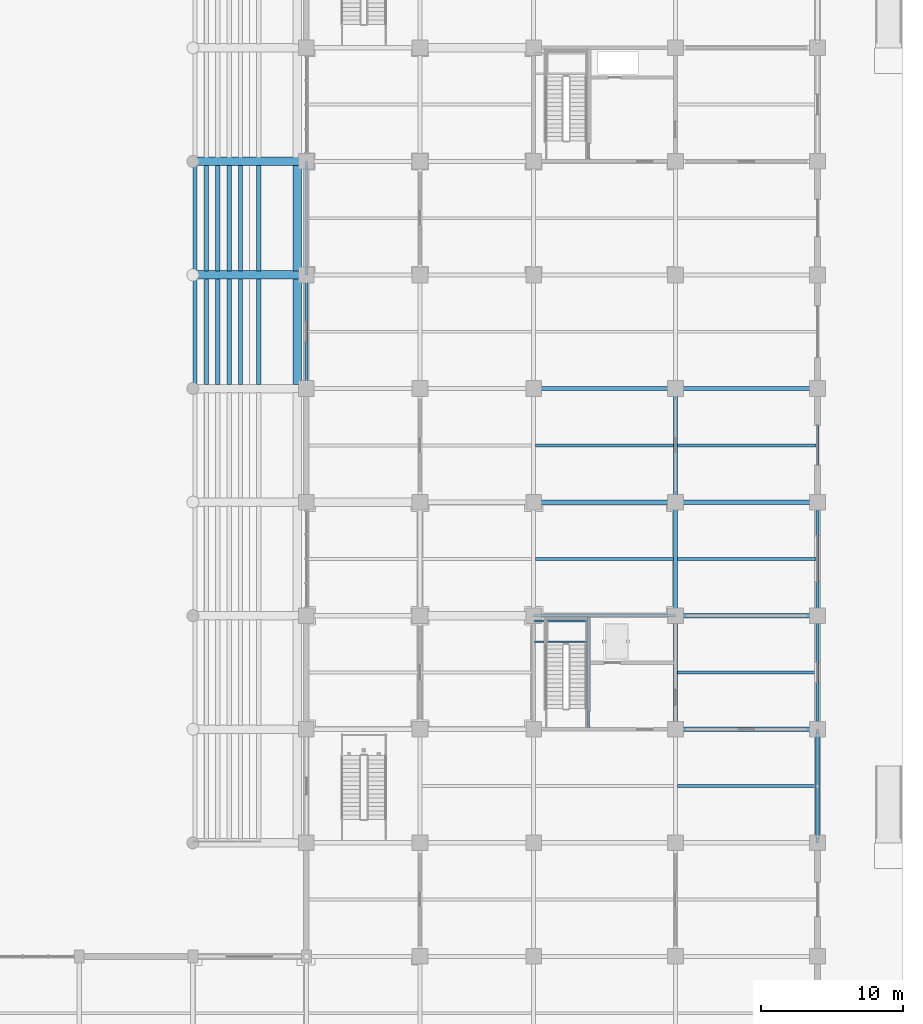
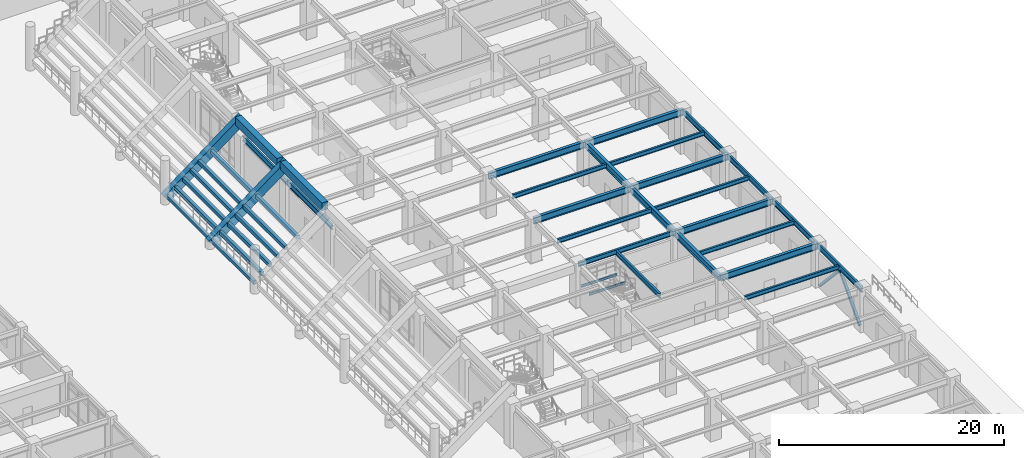
# One storey, part 40 of 125: 41 beams, 2 members.
"""IFC4 building model written with IfcOpenShell, lengths in metres."""

from ifc_helpers import new_model, si_unit, direction, frame, origin, origin_2d, place, context, subcontext, project, spatial, rectangle, hollow_rectangle, i_section, extrude, material, material_profile, profile_set, type_object, element, save


model = new_model("IFC4")

# Units and contexts
model_context = context("Model", 3, precision=1e-05, world=origin(), true_north=direction((0.0, 1.0)))
body_context = subcontext(model_context, "Body", "Model", "MODEL_VIEW")
ifc_project = project(units=[si_unit("LENGTHUNIT", "METRE"), si_unit("AREAUNIT", "SQUARE_METRE"), si_unit("VOLUMEUNIT", "CUBIC_METRE"), si_unit("PLANEANGLEUNIT", "RADIAN"), si_unit("MASSUNIT", "GRAM", prefix="KILO")], contexts=[model_context])

# Site, building, storey
site_placement = place(None, origin())
site = spatial("IfcSite", under=ifc_project, at=site_placement, CompositionType="ELEMENT")
building_placement = place(site_placement, origin())
building = spatial("IfcBuilding", under=site, at=building_placement, Name="Haebicheon Civic Stadium", CompositionType="ELEMENT")
storey_placement = place(building_placement, origin())
storey = spatial("IfcBuildingStorey", under=building, at=storey_placement, Name="L01", CompositionType="ELEMENT", Elevation=0.0)

# Beams
ifc_material_1 = material(Name="Precast concrete C40/50", Category="concrete")
ifc_material_profile_1 = material_profile(ifc_material_1, rectangle(XDim=0.300048828125, YDim=0.39990234375, at=origin_2d()), Name="PC-LN-300x400")
ifc_profile_set_1 = profile_set([ifc_material_profile_1], Name="Precast concrete C40/50")
beam_type_1 = type_object("IfcBeamType", Name="BM-LN-300x400", PredefinedType="LINTEL", material=ifc_profile_set_1)
for number, where, z_axis, x_axis, name in (
    (1, (192.159912109375, 88.280029296875, 0.760009765625), (0.0, 1.0, 0.0), (-1.0, 0.0, 0.0), "TIER-C-L precast step carrier beam 5.1"),
    (2, (192.9599609375, 88.280029296875, 1.427001953125), (0.0, 1.0, 0.0), (-1.0, 0.0, 0.0), "TIER-C-L precast step carrier beam 5.2"),
    (3, (193.760009765625, 88.280029296875, 2.093017578125), (0.0, 1.0, 0.0), (-1.0, 0.0, 0.0), "TIER-C-L precast step carrier beam 5.3"),
    (4, (194.56005859375, 88.280029296875, 2.760009765625), (0.0, 1.0, 0.0), (-1.0, 0.0, 0.0), "TIER-C-L precast step carrier beam 5.4"),
    (5, (195.360107421875, 88.280029296875, 3.427001953125), (0.0, 1.0, 0.0), (-1.0, 0.0, 0.0), "TIER-C-L precast step carrier beam 5.5"),
    (6, (196.639892578125, 88.280029296875, 4.093017578125), (0.0, 1.0, 0.0), (-1.0, 0.0, 0.0), "TIER-C-L precast step carrier beam 5.6"),
    (7, (192.159912109375, 96.280029296875, 0.760009765625), (0.0, 1.0, 0.0), (-1.0, 0.0, 0.0), "TIER-C-L precast step carrier beam 6.1"),
    (8, (192.9599609375, 96.280029296875, 1.427001953125), (0.0, 1.0, 0.0), (-1.0, 0.0, 0.0), "TIER-C-L precast step carrier beam 6.2"),
    (9, (193.760009765625, 96.280029296875, 2.093017578125), (0.0, 1.0, 0.0), (-1.0, 0.0, 0.0), "TIER-C-L precast step carrier beam 6.3"),
    (10, (194.56005859375, 96.280029296875, 2.760009765625), (0.0, 1.0, 0.0), (-1.0, 0.0, 0.0), "TIER-C-L precast step carrier beam 6.4"),
    (11, (195.360107421875, 96.280029296875, 3.427001953125), (0.0, 1.0, 0.0), (-1.0, 0.0, 0.0), "TIER-C-L precast step carrier beam 6.5"),
    (12, (196.639892578125, 96.280029296875, 4.093017578125), (0.0, 1.0, 0.0), (-1.0, 0.0, 0.0), "TIER-C-L precast step carrier beam 6.6"),
):
    element("IfcBeam", number, at=place(storey_placement, frame(where, z_axis=z_axis, x_axis=x_axis)), inside=storey, type_object=beam_type_1, material=ifc_profile_set_1, Name=name, PredefinedType="LINTEL", context=body_context, shape_type="SweptSolid", body=[
        extrude(rectangle(XDim=0.300048828125, YDim=0.39990234375, at=origin_2d()), origin(), (0.0, 0.0, 1.0), 7.43994140625),
    ])
ifc_material_2 = material(Name="Steel SM355 (S355)", Category="steel")
ifc_material_profile_2 = material_profile(ifc_material_2, i_section(OverallWidth=0.199951171875, OverallDepth=0.5, WebThickness=0.010009765625, FlangeThickness=0.01611328125, at=origin_2d()), Name="H-500x200x10x16")
ifc_profile_set_2 = profile_set([ifc_material_profile_2], Name="Steel SM355 (S355)")
beam_type_2 = type_object("IfcBeamType", Name="BM-ST-H500", PredefinedType="BEAM", material=ifc_profile_set_2)
beam_1_placement = place(storey_placement, frame((216.0, 72.0, 4.27001953125), z_axis=(1.0, 0.0, 0.0), x_axis=(0.0, 1.0, 0.0)))
element("IfcBeam", 13, at=beam_1_placement, inside=storey, type_object=beam_type_2, material=ifc_profile_set_2, Name="L01 beam K/28-29", PredefinedType="BEAM", context=body_context, shape_type="SweptSolid", body=[
    extrude(i_section(OverallWidth=0.199951171875, OverallDepth=0.5, WebThickness=0.010009765625, FlangeThickness=0.01611328125, at=origin_2d()), origin(), (0.0, 0.0, 1.0), 10.0),
])
beam_2_placement = place(storey_placement, frame((219.8798828125, 64.10009765625, 4.27001953125), z_axis=(0.0, 1.0, 0.0), x_axis=(-1.0, 0.0, 0.0)))
element("IfcBeam", 14, at=beam_2_placement, inside=storey, type_object=beam_type_2, material=ifc_profile_set_2, Name="L01 KC-12 core dividing wall support beam", PredefinedType="BEAM", context=body_context, shape_type="SweptSolid", body=[
    extrude(i_section(OverallWidth=0.199951171875, OverallDepth=0.5, WebThickness=0.010009765625, FlangeThickness=0.01611328125, at=origin_2d()), origin(), (0.0, 0.0, 1.0), 7.7998046875),
])
ifc_material_3 = material(Name="Steel SM490", Category="steel")
ifc_material_profile_3 = material_profile(ifc_material_3, i_section(OverallWidth=0.300048828125, OverallDepth=0.699951171875, WebThickness=0.012939453125, FlangeThickness=0.02392578125, at=origin_2d()), Name="H-700x300x13x24")
ifc_profile_set_3 = profile_set([ifc_material_profile_3], Name="Steel SM490")
beam_type_3 = type_object("IfcBeamType", Name="BM-ST-H700", PredefinedType="BEAM", material=ifc_profile_set_3)
for number, where, z_axis, x_axis, name in (
    (15, (226.0, 64.0, 4.169921875), (0.0, 1.0, 0.0), (-1.0, 0.0, 0.0), "L01 girder 29/J-K"),
    (16, (226.0, 72.0, 4.169921875), (0.0, 1.0, 0.0), (-1.0, 0.0, 0.0), "L01 girder 29/K-L"),
    (17, (226.0, 80.0, 4.169921875), (0.0, 1.0, 0.0), (-1.0, 0.0, 0.0), "L01 girder 29/L-M"),
):
    element("IfcBeam", number, at=place(storey_placement, frame(where, z_axis=z_axis, x_axis=x_axis)), inside=storey, type_object=beam_type_3, material=ifc_profile_set_3, Name=name, PredefinedType="BEAM", context=body_context, shape_type="SweptSolid", body=[
        extrude(i_section(OverallWidth=0.300048828125, OverallDepth=0.699951171875, WebThickness=0.012939453125, FlangeThickness=0.02392578125, at=origin_2d()), origin(), (0.0, 0.0, 1.0), 8.0),
    ])
for number, where, z_axis, x_axis, name in (
    (18, (216.0, 80.0, 4.169921875), (1.0, 0.0, 0.0), (0.0, 1.0, 0.0), "L01 beam L/28-29"),
    (19, (216.0, 88.0, 4.169921875), (1.0, 0.0, 0.0), (0.0, 1.0, 0.0), "L01 beam M/28-29"),
    (20, (226.0, 64.0, 4.169921875), (1.0, 0.0, 0.0), (0.0, 1.0, 0.0), "L01 beam J/29-30"),
    (21, (226.0, 72.0, 4.169921875), (1.0, 0.0, 0.0), (0.0, 1.0, 0.0), "L01 beam K/29-30"),
    (22, (226.0, 80.0, 4.169921875), (1.0, 0.0, 0.0), (0.0, 1.0, 0.0), "L01 beam L/29-30"),
    (23, (226.0, 88.0, 4.169921875), (1.0, 0.0, 0.0), (0.0, 1.0, 0.0), "L01 beam M/29-30"),
):
    element("IfcBeam", number, at=place(storey_placement, frame(where, z_axis=z_axis, x_axis=x_axis)), inside=storey, type_object=beam_type_3, material=ifc_profile_set_3, Name=name, PredefinedType="BEAM", context=body_context, shape_type="SweptSolid", body=[
        extrude(i_section(OverallWidth=0.300048828125, OverallDepth=0.699951171875, WebThickness=0.012939453125, FlangeThickness=0.02392578125, at=origin_2d()), origin(), (0.0, 0.0, 1.0), 10.0),
    ])
ifc_material_4 = material(Name="Precast concrete C40/50", Category="concrete")
ifc_material_profile_4 = material_profile(ifc_material_4, rectangle(XDim=0.60009765625, YDim=0.85009765625, at=origin_2d()), Name="PC-TB-600x850")
ifc_profile_set_4 = profile_set([ifc_material_profile_4], Name="Precast concrete C40/50")
beam_type_4 = type_object("IfcBeamType", Name="BM-TB-600x850", PredefinedType="T_BEAM", material=ifc_profile_set_4)
for number, where, z_axis, x_axis, name in (
    (24, (199.360107421875, 88.280029296875, 6.534912109375), (0.0, 1.0, 0.0), (-1.0, 0.0, 0.0), "TIER-C-L upper tier bench carrier beam 5"),
    (25, (199.360107421875, 96.280029296875, 6.534912109375), (0.0, 1.0, 0.0), (-1.0, 0.0, 0.0), "TIER-C-L upper tier bench carrier beam 6"),
):
    element("IfcBeam", number, at=place(storey_placement, frame(where, z_axis=z_axis, x_axis=x_axis)), inside=storey, type_object=beam_type_4, material=ifc_profile_set_4, Name=name, PredefinedType="T_BEAM", context=body_context, shape_type="SweptSolid", body=[
        extrude(rectangle(XDim=0.60009765625, YDim=0.85009765625, at=origin_2d()), origin(), (0.0, 0.0, 1.0), 7.43994140625),
    ])

# Members
ifc_material_5 = material(Name="Steel SM490", Category="steel")
ifc_material_profile_5 = material_profile(ifc_material_5, hollow_rectangle(XDim=0.25, YDim=0.25, WallThickness=0.011962890625, at=origin_2d()), Name="RHS-250x250x12.0")
ifc_profile_set_5 = profile_set([ifc_material_profile_5], Name="Steel SM490")
member_type = type_object("IfcMemberType", Name="BRC-RHS250", PredefinedType="BRACE", material=ifc_profile_set_5)
for number, where, z_axis, x_axis, name in (
    (26, (236.0, 56.419921875, 0.0400390625), (0.0, 0.676254882326, 0.736667723014), (-1.0, 0.0, 0.0), "BR250 chevron brace L01 28-07 A"),
    (27, (236.0, 63.580078125, 0.0400390625), (0.0, -0.676254882326, 0.736667723014), (1.0, 0.0, 0.0), "BR250 chevron brace L01 28-07 B"),
):
    element("IfcMember", number, at=place(storey_placement, frame(where, z_axis=z_axis, x_axis=x_axis)), inside=storey, type_object=member_type, material=ifc_profile_set_5, Name=name, PredefinedType="BRACE", context=body_context, shape_type="SweptSolid", body=[
        extrude(hollow_rectangle(XDim=0.25, YDim=0.25, WallThickness=0.011962890625, at=origin_2d()), origin(), (0.0, 0.0, 1.0), 5.2939453125),
    ])

# Beams
ifc_material_6 = material(Name="Steel SM355 (S355)", Category="steel")
ifc_material_profile_6 = material_profile(ifc_material_6, i_section(OverallWidth=0.125, OverallDepth=0.25, WebThickness=0.006103515625, FlangeThickness=0.009033203125, at=origin_2d()), Name="H-250x125x6x9")
ifc_profile_set_6 = profile_set([ifc_material_profile_6], Name="Steel SM355 (S355)")
beam_type_5 = type_object("IfcBeamType", Name="JST-ST-H250", PredefinedType="JOIST", material=ifc_profile_set_6)
for number, where, z_axis, x_axis, name in (
    (28, (216.080078125, 70.169921875, 2.072021484375), (1.0, 0.0, 0.0), (0.0, 1.0, 0.0), "KC-12 L01 stair half-landing front trimmer beam"),
    (29, (216.080078125, 71.6201171875, 2.072021484375), (1.0, 0.0, 0.0), (0.0, 1.0, 0.0), "KC-12 L01 stair half-landing rear trimmer beam"),
):
    element("IfcBeam", number, at=place(storey_placement, frame(where, z_axis=z_axis, x_axis=x_axis)), inside=storey, type_object=beam_type_5, material=ifc_profile_set_6, Name=name, PredefinedType="JOIST", context=body_context, shape_type="SweptSolid", body=[
        extrude(i_section(OverallWidth=0.125, OverallDepth=0.25, WebThickness=0.006103515625, FlangeThickness=0.009033203125, at=origin_2d()), origin(), (0.0, 0.0, 1.0), 3.719970703125),
    ])
ifc_material_7 = material(Name="Steel SM355 (S355)", Category="steel")
ifc_material_profile_7 = material_profile(ifc_material_7, i_section(OverallWidth=0.199951171875, OverallDepth=0.449951171875, WebThickness=0.009033203125, FlangeThickness=0.013916015625, at=origin_2d()), Name="H-450x200x9x14")
ifc_profile_set_7 = profile_set([ifc_material_profile_7], Name="Steel SM355 (S355)")
beam_type_6 = type_object("IfcBeamType", Name="JST-ST-H450", PredefinedType="JOIST", material=ifc_profile_set_7)
for number, where, z_axis, x_axis, name in (
    (30, (216.14990234375, 76.0, 4.294921875), (1.0, 0.0, 0.0), (0.0, 1.0, 0.0), "L01 secondary joist 27-09"),
    (31, (216.14990234375, 84.0, 4.294921875), (1.0, 0.0, 0.0), (0.0, 1.0, 0.0), "L01 secondary joist 27-10"),
):
    element("IfcBeam", number, at=place(storey_placement, frame(where, z_axis=z_axis, x_axis=x_axis)), inside=storey, type_object=beam_type_6, material=ifc_profile_set_7, Name=name, PredefinedType="JOIST", context=body_context, shape_type="SweptSolid", body=[
        extrude(i_section(OverallWidth=0.199951171875, OverallDepth=0.449951171875, WebThickness=0.009033203125, FlangeThickness=0.013916015625, at=origin_2d()), origin(), (0.0, 0.0, 1.0), 9.7001953125),
    ])
for number, where, z_axis, x_axis, name in (
    (32, (226.14990234375, 60.0, 4.294921875), (1.0, 0.0, 0.0), (0.0, 1.0, 0.0), "L01 secondary joist 28-07"),
    (33, (226.14990234375, 68.0, 4.294921875), (1.0, 0.0, 0.0), (0.0, 1.0, 0.0), "L01 secondary joist 28-08"),
    (34, (226.14990234375, 76.0, 4.294921875), (1.0, 0.0, 0.0), (0.0, 1.0, 0.0), "L01 secondary joist 28-09"),
    (35, (226.14990234375, 84.0, 4.294921875), (1.0, 0.0, 0.0), (0.0, 1.0, 0.0), "L01 secondary joist 28-10"),
):
    element("IfcBeam", number, at=place(storey_placement, frame(where, z_axis=z_axis, x_axis=x_axis)), inside=storey, type_object=beam_type_6, material=ifc_profile_set_7, Name=name, PredefinedType="JOIST", context=body_context, shape_type="SweptSolid", body=[
        extrude(i_section(OverallWidth=0.199951171875, OverallDepth=0.449951171875, WebThickness=0.009033203125, FlangeThickness=0.013916015625, at=origin_2d()), origin(), (0.0, 0.0, 1.0), 9.75),
    ])
ifc_material_8 = material(Name="Precast concrete C40/50", Category="concrete")
ifc_material_profile_8 = material_profile(ifc_material_8, rectangle(XDim=0.60009765625, YDim=0.949951171875, at=origin_2d()), Name="PC-RK-600x950")
ifc_profile_set_8 = profile_set([ifc_material_profile_8], Name="Precast concrete C40/50")
beam_type_7 = type_object("IfcBeamType", Name="RK-PC-600x950", PredefinedType="USERDEFINED", material=ifc_profile_set_8)
for number, where, z_axis, x_axis, name in (
    (36, (192.0, 96.0, 0.485107421875), (0.8, 0.0, 0.6), (0.0, 1.0, 0.0), "TIER-C-L inclined precast raker beam 6"),
    (37, (192.0, 104.0, 0.485107421875), (0.8, 0.0, 0.6), (0.0, 1.0, 0.0), "TIER-C-L inclined precast raker beam 7"),
):
    element("IfcBeam", number, at=place(storey_placement, frame(where, z_axis=z_axis, x_axis=x_axis)), inside=storey, type_object=beam_type_7, material=ifc_profile_set_8, Name=name, ObjectType="RAKER BEAM", PredefinedType="USERDEFINED", context=body_context, shape_type="SweptSolid", body=[
        extrude(rectangle(XDim=0.60009765625, YDim=0.949951171875, at=origin_2d()), origin(), (0.0, 0.0, 1.0), 10.0),
    ])
ifc_material_9 = material(Name="Steel SM355 (S355)", Category="steel")
ifc_material_profile_9 = material_profile(ifc_material_9, i_section(OverallWidth=0.199951171875, OverallDepth=0.60009765625, WebThickness=0.010986328125, FlangeThickness=0.01708984375, at=origin_2d()), Name="H-600x200x11x17")
ifc_profile_set_9 = profile_set([ifc_material_profile_9], Name="Steel SM355 (S355)")
beam_type_8 = type_object("IfcBeamType", Name="SPD-ST-H600B", PredefinedType="SPANDREL", material=ifc_profile_set_9)
for number, where, z_axis, x_axis, name in (
    (38, (200.0, 88.0, 4.219970703125), (0.0, 1.0, 0.0), (-1.0, 0.0, 0.0), "L01 girder 26/M-N"),
    (39, (200.0, 96.0, 4.219970703125), (0.0, 1.0, 0.0), (-1.0, 0.0, 0.0), "L01 girder 26/N-P"),
    (40, (236.0, 56.0, 4.219970703125), (0.0, 1.0, 0.0), (-1.0, 0.0, 0.0), "L01 girder 30/H-J"),
    (41, (236.0, 64.0, 4.219970703125), (0.0, 1.0, 0.0), (-1.0, 0.0, 0.0), "L01 girder 30/J-K"),
    (42, (236.0, 72.0, 4.219970703125), (0.0, 1.0, 0.0), (-1.0, 0.0, 0.0), "L01 girder 30/K-L"),
    (43, (236.0, 80.0, 4.219970703125), (0.0, 1.0, 0.0), (-1.0, 0.0, 0.0), "L01 girder 30/L-M"),
):
    element("IfcBeam", number, at=place(storey_placement, frame(where, z_axis=z_axis, x_axis=x_axis)), inside=storey, type_object=beam_type_8, material=ifc_profile_set_9, Name=name, PredefinedType="SPANDREL", context=body_context, shape_type="SweptSolid", body=[
        extrude(i_section(OverallWidth=0.199951171875, OverallDepth=0.60009765625, WebThickness=0.010986328125, FlangeThickness=0.01708984375, at=origin_2d()), origin(), (0.0, 0.0, 1.0), 8.0),
    ])

save(model, "model.ifc")
